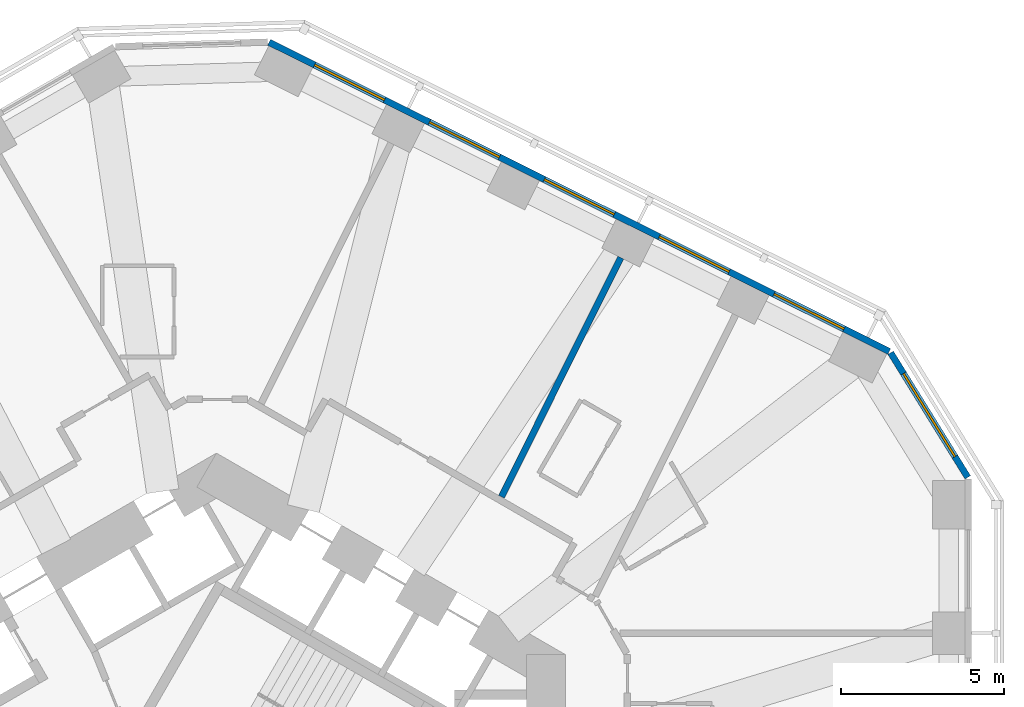
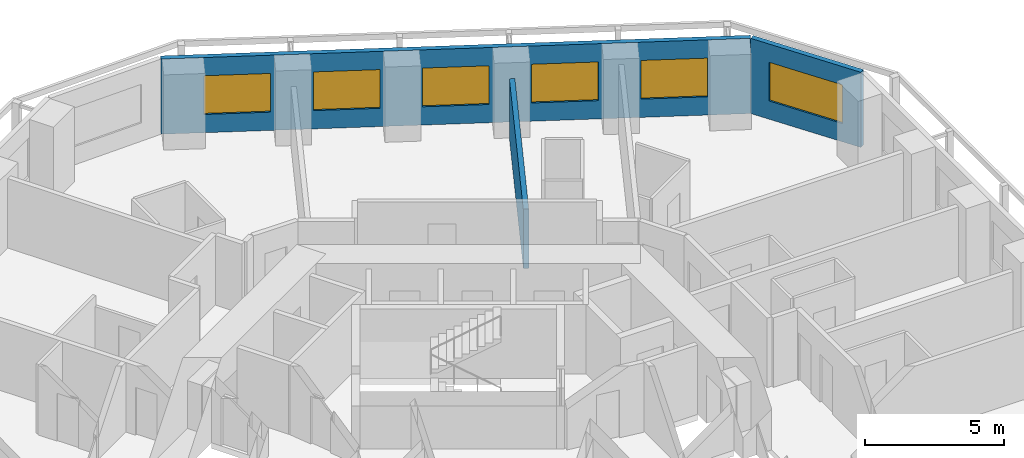
# One storey, part 9 of 12: 6 windows, 3 walls, 6 openings.
"""IFC4 building model written with IfcOpenShell, lengths in metres."""

from ifc_helpers import new_model, si_unit, direction, frame, frame_2d, origin, place, context, subcontext, project, spatial, rectangle, extrude, material, layer, layer_set, type_object, element, fill, save


model = new_model("IFC4")

# Units and contexts
model_context = context("Model", 3, precision=1e-05, world=origin(), true_north=direction((0.0, 1.0)))
body_context = subcontext(model_context, "Body", "Model", "MODEL_VIEW")
ifc_project = project(units=[si_unit("LENGTHUNIT", "METRE"), si_unit("AREAUNIT", "SQUARE_METRE"), si_unit("VOLUMEUNIT", "CUBIC_METRE"), si_unit("PLANEANGLEUNIT", "RADIAN"), si_unit("MASSUNIT", "GRAM", prefix="KILO")], contexts=[model_context])

# Site, building, storey
site_placement = place(None, origin())
site = spatial("IfcSite", under=ifc_project, at=site_placement, CompositionType="ELEMENT")
building_placement = place(site_placement, origin())
building = spatial("IfcBuilding", under=site, at=building_placement, Name="Vanh Sen Convention Tower", CompositionType="ELEMENT")
storey_placement = place(building_placement, frame((0.0, 0.0, 47.300048828125)))
storey = spatial("IfcBuildingStorey", under=building, at=storey_placement, Name="L08", CompositionType="ELEMENT", Elevation=47.300048828125)

# Wall, opening, window
ifc_material_1 = material(Name="Insulated lightweight infill wall")
ifc_layer_1 = layer(ifc_material_1, 0.199951171875)
ifc_layer_set_1 = layer_set([ifc_layer_1], Name="Insulated lightweight infill wall")
wall_type_1 = type_object("IfcWallType", Name="External wall 200", PredefinedType="STANDARD", material=ifc_layer_set_1)
wall_1_placement = place(storey_placement, frame((23.034912109375, 11.612060546875, 0.0), z_axis=(0.0, 0.0, 1.0), x_axis=(-0.526160091227, 0.850385535155, 0.0)))
wall_1 = element("IfcWall", 1, at=wall_1_placement, inside=storey, type_object=wall_type_1, Name="External wall CH1 L08", PredefinedType="STANDARD", context=body_context, shape_type="SweptSolid", body=[
    extrude(rectangle(XDim=4.493896484375, YDim=0.199951171875, at=frame_2d((2.2470703125, 0.0))), origin(), (0.0, 0.0, 1.0), 3.300048828125),
])
opening_1_placement = place(wall_1_placement, frame((0.746826171875, 0.0, 0.800048828125)))
opening_1 = element("IfcOpeningElement", 2, at=opening_1_placement, cuts=wall_1, Name="Opening WH2-CH11", PredefinedType="OPENING", context=body_context, shape_type="SweptSolid", body=[
    extrude(rectangle(XDim=3.0, YDim=1.699951171875, at=frame_2d((1.5, 0.85009765625))), frame((0.0, 0.10986328125, 0.0), z_axis=(0.0, -1.0, 0.0), x_axis=(1.0, 0.0, 0.0)), (0.0, 0.0, 1.0), 0.219970703125),
])
ifc_material_2 = material(Name="Aluminium frame with clear low-emissivity glass", Category="aluminium")
window_type_1 = type_object("IfcWindowType", Name="Hotel window 3000 x 1700", PartitioningType="SINGLE_PANEL", PredefinedType="WINDOW", material=ifc_material_2)
window_1_placement = place(opening_1_placement, origin())
window_1 = element("IfcWindow", 3, at=window_1_placement, inside=storey, type_object=window_type_1, Name="Window WH2-CH11", OverallHeight=1.699951171875, OverallWidth=3.0, PartitioningType="SINGLE_PANEL", PredefinedType="WINDOW", context=body_context, shape_type="SweptSolid", body=[
    extrude(rectangle(XDim=3.0, YDim=1.699951171875, at=frame_2d((1.5, 0.85009765625))), frame((0.0, 0.030029296875, 0.0), z_axis=(0.0, -1.0, 0.0), x_axis=(1.0, 0.0, 0.0)), (0.0, 0.0, 1.0), 0.06005859375),
])
fill(opening_1, window_1)

# Wall, openings, windows
wall_2_placement = place(storey_placement, frame((20.6298828125, 15.470458984375, 0.0), z_axis=(0.0, 0.0, 1.0), x_axis=(-0.894934518609, 0.446197498203, 0.0)))
wall_2 = element("IfcWall", 4, at=wall_2_placement, inside=storey, type_object=wall_type_1, Name="External wall NE L08", PredefinedType="STANDARD", context=body_context, shape_type="SweptSolid", body=[
    extrude(rectangle(XDim=21.24609375, YDim=0.199951171875, at=frame_2d((10.623046875, 0.0))), origin(), (0.0, 0.0, 1.0), 3.300048828125),
])
opening_2_placement = place(wall_2_placement, frame((1.552978515625, 0.0, 0.800048828125)))
opening_2 = element("IfcOpeningElement", 5, at=opening_2_placement, cuts=wall_2, Name="Opening WH1-NE1", PredefinedType="OPENING", context=body_context, shape_type="SweptSolid", body=[
    extrude(rectangle(XDim=2.39990234375, YDim=1.699951171875, at=frame_2d((1.199951171875, 0.85009765625))), frame((0.0, 0.10986328125, 0.0), z_axis=(0.0, -1.0, 0.0), x_axis=(1.0, 0.0, 0.0)), (0.0, 0.0, 1.0), 0.219970703125),
])
opening_3_placement = place(wall_2_placement, frame((5.48779296875, 0.0, 0.800048828125)))
opening_3 = element("IfcOpeningElement", 6, at=opening_3_placement, cuts=wall_2, Name="Opening WH1-NE2", PredefinedType="OPENING", context=body_context, shape_type="SweptSolid", body=[
    extrude(rectangle(XDim=2.39990234375, YDim=1.699951171875, at=frame_2d((1.199951171875, 0.85009765625))), frame((0.0, 0.10986328125, 0.0), z_axis=(0.0, -1.0, 0.0), x_axis=(1.0, 0.0, 0.0)), (0.0, 0.0, 1.0), 0.219970703125),
])
opening_4_placement = place(wall_2_placement, frame((9.42236328125, 0.0, 0.800048828125)))
opening_4 = element("IfcOpeningElement", 7, at=opening_4_placement, cuts=wall_2, Name="Opening WH1-NE3", PredefinedType="OPENING", context=body_context, shape_type="SweptSolid", body=[
    extrude(rectangle(XDim=2.39990234375, YDim=1.699951171875, at=frame_2d((1.199951171875, 0.85009765625))), frame((0.0, 0.10986328125, 0.0), z_axis=(0.0, -1.0, 0.0), x_axis=(1.0, 0.0, 0.0)), (0.0, 0.0, 1.0), 0.219970703125),
])
opening_5_placement = place(wall_2_placement, frame((13.35693359375, 0.0, 0.800048828125)))
opening_5 = element("IfcOpeningElement", 8, at=opening_5_placement, cuts=wall_2, Name="Opening WH1-NE4", PredefinedType="OPENING", context=body_context, shape_type="SweptSolid", body=[
    extrude(rectangle(XDim=2.39990234375, YDim=1.699951171875, at=frame_2d((1.199951171875, 0.85009765625))), frame((0.0, 0.10986328125, 0.0), z_axis=(0.0, -1.0, 0.0), x_axis=(1.0, 0.0, 0.0)), (0.0, 0.0, 1.0), 0.219970703125),
])
opening_6_placement = place(wall_2_placement, frame((17.29150390625, 0.0, 0.800048828125)))
opening_6 = element("IfcOpeningElement", 9, at=opening_6_placement, cuts=wall_2, Name="Opening WH1-NE5", PredefinedType="OPENING", context=body_context, shape_type="SweptSolid", body=[
    extrude(rectangle(XDim=2.39990234375, YDim=1.699951171875, at=frame_2d((1.199951171875, 0.85009765625))), frame((0.0, 0.10986328125, 0.0), z_axis=(0.0, -1.0, 0.0), x_axis=(1.0, 0.0, 0.0)), (0.0, 0.0, 1.0), 0.219970703125),
])
window_type_2 = type_object("IfcWindowType", Name="Hotel window 2400 x 1700", PartitioningType="SINGLE_PANEL", PredefinedType="WINDOW", material=ifc_material_2)
window_2_placement = place(opening_2_placement, origin())
window_2 = element("IfcWindow", 10, at=window_2_placement, inside=storey, type_object=window_type_2, Name="Window WH1-NE1", OverallHeight=1.699951171875, OverallWidth=2.39990234375, PartitioningType="SINGLE_PANEL", PredefinedType="WINDOW", context=body_context, shape_type="SweptSolid", body=[
    extrude(rectangle(XDim=2.39990234375, YDim=1.699951171875, at=frame_2d((1.199951171875, 0.85009765625))), frame((0.0, 0.030029296875, 0.0), z_axis=(0.0, -1.0, 0.0), x_axis=(1.0, 0.0, 0.0)), (0.0, 0.0, 1.0), 0.06005859375),
])
fill(opening_2, window_2)
window_3_placement = place(opening_3_placement, origin())
window_3 = element("IfcWindow", 11, at=window_3_placement, inside=storey, type_object=window_type_2, Name="Window WH1-NE2", OverallHeight=1.699951171875, OverallWidth=2.39990234375, PartitioningType="SINGLE_PANEL", PredefinedType="WINDOW", context=body_context, shape_type="SweptSolid", body=[
    extrude(rectangle(XDim=2.39990234375, YDim=1.699951171875, at=frame_2d((1.199951171875, 0.85009765625))), frame((0.0, 0.030029296875, 0.0), z_axis=(0.0, -1.0, 0.0), x_axis=(1.0, 0.0, 0.0)), (0.0, 0.0, 1.0), 0.06005859375),
])
fill(opening_3, window_3)
window_4_placement = place(opening_4_placement, origin())
window_4 = element("IfcWindow", 12, at=window_4_placement, inside=storey, type_object=window_type_2, Name="Window WH1-NE3", OverallHeight=1.699951171875, OverallWidth=2.39990234375, PartitioningType="SINGLE_PANEL", PredefinedType="WINDOW", context=body_context, shape_type="SweptSolid", body=[
    extrude(rectangle(XDim=2.39990234375, YDim=1.699951171875, at=frame_2d((1.199951171875, 0.85009765625))), frame((0.0, 0.030029296875, 0.0), z_axis=(0.0, -1.0, 0.0), x_axis=(1.0, 0.0, 0.0)), (0.0, 0.0, 1.0), 0.06005859375),
])
fill(opening_4, window_4)
window_5_placement = place(opening_5_placement, origin())
window_5 = element("IfcWindow", 13, at=window_5_placement, inside=storey, type_object=window_type_2, Name="Window WH1-NE4", OverallHeight=1.699951171875, OverallWidth=2.39990234375, PartitioningType="SINGLE_PANEL", PredefinedType="WINDOW", context=body_context, shape_type="SweptSolid", body=[
    extrude(rectangle(XDim=2.39990234375, YDim=1.699951171875, at=frame_2d((1.199951171875, 0.85009765625))), frame((0.0, 0.030029296875, 0.0), z_axis=(0.0, -1.0, 0.0), x_axis=(1.0, 0.0, 0.0)), (0.0, 0.0, 1.0), 0.06005859375),
])
fill(opening_5, window_5)
window_6_placement = place(opening_6_placement, origin())
window_6 = element("IfcWindow", 14, at=window_6_placement, inside=storey, type_object=window_type_2, Name="Window WH1-NE5", OverallHeight=1.699951171875, OverallWidth=2.39990234375, PartitioningType="SINGLE_PANEL", PredefinedType="WINDOW", context=body_context, shape_type="SweptSolid", body=[
    extrude(rectangle(XDim=2.39990234375, YDim=1.699951171875, at=frame_2d((1.199951171875, 0.85009765625))), frame((0.0, 0.030029296875, 0.0), z_axis=(0.0, -1.0, 0.0), x_axis=(1.0, 0.0, 0.0)), (0.0, 0.0, 1.0), 0.06005859375),
])
fill(opening_6, window_6)

# Wall
ifc_material_3 = material(Name="Gypsum board on steel studs with mineral wool", Category="steel")
ifc_layer_2 = layer(ifc_material_3, 0.199951171875)
ifc_layer_set_2 = layer_set([ifc_layer_2], Name="Gypsum board on steel studs with mineral wool")
wall_type_2 = type_object("IfcWallType", Name="Hotel party wall 200", PredefinedType="PARTITIONING", material=ifc_layer_set_2)
wall_3_placement = place(storey_placement, frame((12.393310546875, 18.347900390625, 0.0), z_axis=(0.0, 0.0, 1.0), x_axis=(-0.446176022699, -0.894945225569, 0.0)))
element("IfcWall", 15, at=wall_3_placement, inside=storey, type_object=wall_type_2, Name="Hotel party wall 200", PredefinedType="PARTITIONING", context=body_context, shape_type="SweptSolid", body=[
    extrude(rectangle(XDim=8.19091796875, YDim=0.199951171875, at=frame_2d((4.095458984375, 0.0))), origin(), (0.0, 0.0, 1.0), 2.599853515625),
])

save(model, "model.ifc")
